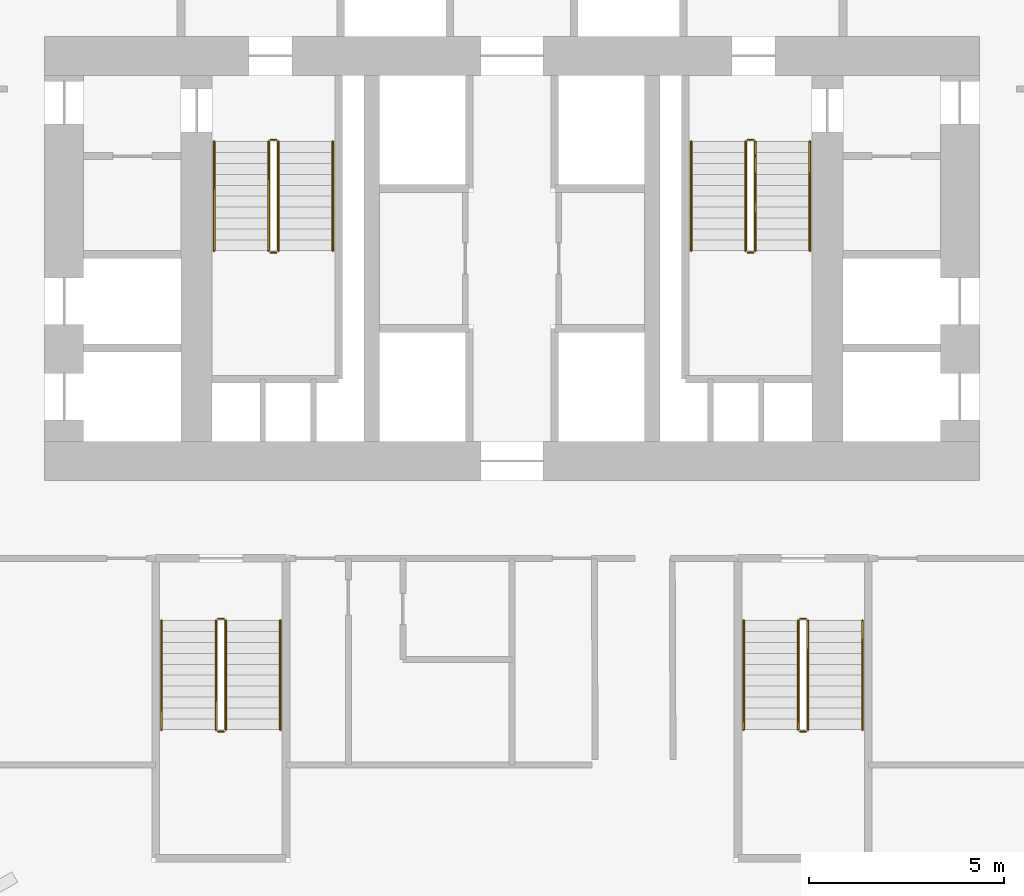
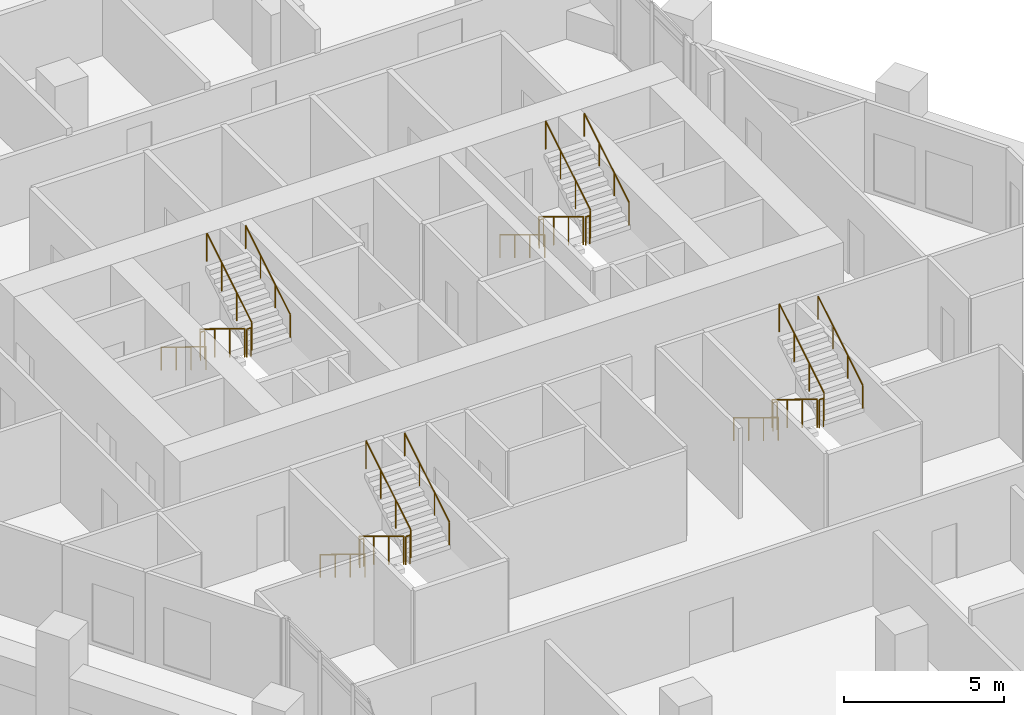
# One storey, part 28 of 28: 24 railings.
"""IFC4 building model written with IfcOpenShell, lengths in metres."""

from ifc_helpers import new_model, si_unit, direction, frame, origin, origin_2d, place, context, subcontext, project, spatial, circle, extrude, material, type_object, element, save


model = new_model("IFC4")

# Units and contexts
model_context = context("Model", 3, precision=1e-05, world=origin(), true_north=direction((0.0, 1.0)))
body_context = subcontext(model_context, "Body", "Model", "MODEL_VIEW")
ifc_project = project(units=[si_unit("LENGTHUNIT", "METRE"), si_unit("AREAUNIT", "SQUARE_METRE"), si_unit("VOLUMEUNIT", "CUBIC_METRE"), si_unit("PLANEANGLEUNIT", "RADIAN"), si_unit("MASSUNIT", "GRAM", prefix="KILO")], contexts=[model_context])

# Site, building, storey
site_placement = place(None, origin())
site = spatial("IfcSite", under=ifc_project, at=site_placement, CompositionType="ELEMENT")
building_placement = place(site_placement, origin())
building = spatial("IfcBuilding", under=site, at=building_placement, Name="Ostrander Bayou Hotel Tower", CompositionType="ELEMENT")
storey_placement = place(building_placement, frame((0.0, 0.0, 100.5)))
storey = spatial("IfcBuildingStorey", under=building, at=storey_placement, Name="L25", CompositionType="ELEMENT", Elevation=100.5)

# Railings
ifc_material_1 = material(Name="Steel ASTM A500 Gr C", Category="steel")
railing_type_1 = type_object("IfcRailingType", Name="GR1 stair guard 1100 mm steel", PredefinedType="GUARDRAIL", material=ifc_material_1)
railing_1_placement = place(storey_placement, frame((-6.25, 7.0, 0.17041015625)))
element("IfcRailing", 1, at=railing_1_placement, inside=storey, type_object=railing_type_1, Name="L25 STA stair guard 1", PredefinedType="GUARDRAIL", context=body_context, shape_type="SweptSolid", body=[
    extrude(circle(Radius=0.02392578125, at=origin_2d()), frame((0.0, 0.0, 1.076171875), z_axis=(0.0, -0.854169791009, 0.51999420009), x_axis=(1.0, 0.0, 0.0)), (0.0, 0.0, 1.0), 3.278076171875),
    extrude(circle(Radius=0.02099609375, at=origin_2d()), origin(), (0.0, 0.0, 1.0), 1.052001953125),
    extrude(circle(Radius=0.02099609375, at=origin_2d()), frame((0.0, -0.933349609375, 0.568115234375)), (0.0, 0.0, 1.0), 1.052001953125),
    extrude(circle(Radius=0.02099609375, at=origin_2d()), frame((0.0, -1.86669921875, 1.136474609375)), (0.0, 0.0, 1.0), 1.052001953125),
    extrude(circle(Radius=0.02099609375, at=origin_2d()), frame((0.0, -2.800048828125, 1.70458984375)), (0.0, 0.0, 1.0), 1.052001953125),
])
railing_2_placement = place(storey_placement, frame((-6.199951171875, 4.14990234375, 1.875)))
element("IfcRailing", 2, at=railing_2_placement, inside=storey, type_object=railing_type_1, Name="L25 STA stair guard 2", PredefinedType="GUARDRAIL", context=body_context, shape_type="SweptSolid", body=[
    extrude(circle(Radius=0.02392578125, at=origin_2d()), frame((0.0, 0.0, 1.076171875), z_axis=(1.0, 0.0, 0.0), x_axis=(0.0, 1.0, 0.0)), (0.0, 0.0, 1.0), 0.14990234375),
    extrude(circle(Radius=0.02099609375, at=origin_2d()), origin(), (0.0, 0.0, 1.0), 1.052001953125),
    extrude(circle(Radius=0.02099609375, at=origin_2d()), frame((0.14990234375, 0.0, 0.0)), (0.0, 0.0, 1.0), 1.052001953125),
])
railing_3_placement = place(storey_placement, frame((-6.0, 4.199951171875, 2.04541015625)))
element("IfcRailing", 3, at=railing_3_placement, inside=storey, type_object=railing_type_1, Name="L25 STA stair guard 3", PredefinedType="GUARDRAIL", context=body_context, shape_type="SweptSolid", body=[
    extrude(circle(Radius=0.02392578125, at=origin_2d()), frame((0.0, 0.0, 1.076171875), z_axis=(0.0, 0.854169791009, 0.51999420009), x_axis=(-1.0, 0.0, 0.0)), (0.0, 0.0, 1.0), 3.278076171875),
    extrude(circle(Radius=0.02099609375, at=origin_2d()), origin(), (0.0, 0.0, 1.0), 1.052001953125),
    extrude(circle(Radius=0.02099609375, at=origin_2d()), frame((0.0, 0.933349609375, 0.568115234375)), (0.0, 0.0, 1.0), 1.052001953125),
    extrude(circle(Radius=0.02099609375, at=origin_2d()), frame((0.0, 1.86669921875, 1.136474609375)), (0.0, 0.0, 1.0), 1.052001953125),
    extrude(circle(Radius=0.02099609375, at=origin_2d()), frame((0.0, 2.800048828125, 1.70458984375)), (0.0, 0.0, 1.0), 1.052001953125),
])
railing_4_placement = place(storey_placement, frame((-6.199951171875, 7.050048828125, 0.0)))
element("IfcRailing", 4, at=railing_4_placement, inside=storey, type_object=railing_type_1, Name="L25 STA stair guard 4", PredefinedType="GUARDRAIL", context=body_context, shape_type="SweptSolid", body=[
    extrude(circle(Radius=0.02392578125, at=origin_2d()), frame((0.0, 0.0, 1.076171875), z_axis=(1.0, 0.0, 0.0), x_axis=(0.0, 1.0, 0.0)), (0.0, 0.0, 1.0), 0.14990234375),
    extrude(circle(Radius=0.02099609375, at=origin_2d()), origin(), (0.0, 0.0, 1.0), 1.052001953125),
    extrude(circle(Radius=0.02099609375, at=origin_2d()), frame((0.14990234375, 0.0, 0.0)), (0.0, 0.0, 1.0), 1.052001953125),
])
railing_5_placement = place(storey_placement, frame((6.0, 7.0, 0.17041015625)))
element("IfcRailing", 5, at=railing_5_placement, inside=storey, type_object=railing_type_1, Name="L25 STB stair guard 1", PredefinedType="GUARDRAIL", context=body_context, shape_type="SweptSolid", body=[
    extrude(circle(Radius=0.02392578125, at=origin_2d()), frame((0.0, 0.0, 1.076171875), z_axis=(0.0, -0.854169791009, 0.51999420009), x_axis=(1.0, 0.0, 0.0)), (0.0, 0.0, 1.0), 3.278076171875),
    extrude(circle(Radius=0.02099609375, at=origin_2d()), origin(), (0.0, 0.0, 1.0), 1.052001953125),
    extrude(circle(Radius=0.02099609375, at=origin_2d()), frame((0.0, -0.933349609375, 0.568115234375)), (0.0, 0.0, 1.0), 1.052001953125),
    extrude(circle(Radius=0.02099609375, at=origin_2d()), frame((0.0, -1.86669921875, 1.136474609375)), (0.0, 0.0, 1.0), 1.052001953125),
    extrude(circle(Radius=0.02099609375, at=origin_2d()), frame((0.0, -2.800048828125, 1.70458984375)), (0.0, 0.0, 1.0), 1.052001953125),
])
railing_6_placement = place(storey_placement, frame((6.050048828125, 4.14990234375, 1.875)))
element("IfcRailing", 6, at=railing_6_placement, inside=storey, type_object=railing_type_1, Name="L25 STB stair guard 2", PredefinedType="GUARDRAIL", context=body_context, shape_type="SweptSolid", body=[
    extrude(circle(Radius=0.02392578125, at=origin_2d()), frame((0.0, 0.0, 1.076171875), z_axis=(1.0, 0.0, 0.0), x_axis=(0.0, 1.0, 0.0)), (0.0, 0.0, 1.0), 0.14990234375),
    extrude(circle(Radius=0.02099609375, at=origin_2d()), origin(), (0.0, 0.0, 1.0), 1.052001953125),
    extrude(circle(Radius=0.02099609375, at=origin_2d()), frame((0.14990234375, 0.0, 0.0)), (0.0, 0.0, 1.0), 1.052001953125),
])
railing_7_placement = place(storey_placement, frame((6.25, 4.199951171875, 2.04541015625)))
element("IfcRailing", 7, at=railing_7_placement, inside=storey, type_object=railing_type_1, Name="L25 STB stair guard 3", PredefinedType="GUARDRAIL", context=body_context, shape_type="SweptSolid", body=[
    extrude(circle(Radius=0.02392578125, at=origin_2d()), frame((0.0, 0.0, 1.076171875), z_axis=(0.0, 0.854169791009, 0.51999420009), x_axis=(-1.0, 0.0, 0.0)), (0.0, 0.0, 1.0), 3.278076171875),
    extrude(circle(Radius=0.02099609375, at=origin_2d()), origin(), (0.0, 0.0, 1.0), 1.052001953125),
    extrude(circle(Radius=0.02099609375, at=origin_2d()), frame((0.0, 0.933349609375, 0.568115234375)), (0.0, 0.0, 1.0), 1.052001953125),
    extrude(circle(Radius=0.02099609375, at=origin_2d()), frame((0.0, 1.86669921875, 1.136474609375)), (0.0, 0.0, 1.0), 1.052001953125),
    extrude(circle(Radius=0.02099609375, at=origin_2d()), frame((0.0, 2.800048828125, 1.70458984375)), (0.0, 0.0, 1.0), 1.052001953125),
])
railing_8_placement = place(storey_placement, frame((6.050048828125, 7.050048828125, 0.0)))
element("IfcRailing", 8, at=railing_8_placement, inside=storey, type_object=railing_type_1, Name="L25 STB stair guard 4", PredefinedType="GUARDRAIL", context=body_context, shape_type="SweptSolid", body=[
    extrude(circle(Radius=0.02392578125, at=origin_2d()), frame((0.0, 0.0, 1.076171875), z_axis=(1.0, 0.0, 0.0), x_axis=(0.0, 1.0, 0.0)), (0.0, 0.0, 1.0), 0.14990234375),
    extrude(circle(Radius=0.02099609375, at=origin_2d()), origin(), (0.0, 0.0, 1.0), 1.052001953125),
    extrude(circle(Radius=0.02099609375, at=origin_2d()), frame((0.14990234375, 0.0, 0.0)), (0.0, 0.0, 1.0), 1.052001953125),
])
railing_9_placement = place(storey_placement, frame((7.35009765625, -5.300048828125, 0.17041015625)))
element("IfcRailing", 9, at=railing_9_placement, inside=storey, type_object=railing_type_1, Name="L25 STC stair guard 1", PredefinedType="GUARDRAIL", context=body_context, shape_type="SweptSolid", body=[
    extrude(circle(Radius=0.02392578125, at=origin_2d()), frame((0.0, 0.0, 1.076171875), z_axis=(0.0, -0.854169791009, 0.51999420009), x_axis=(1.0, 0.0, 0.0)), (0.0, 0.0, 1.0), 3.278076171875),
    extrude(circle(Radius=0.02099609375, at=origin_2d()), origin(), (0.0, 0.0, 1.0), 1.052001953125),
    extrude(circle(Radius=0.02099609375, at=origin_2d()), frame((0.0, -0.933349609375, 0.568115234375)), (0.0, 0.0, 1.0), 1.052001953125),
    extrude(circle(Radius=0.02099609375, at=origin_2d()), frame((0.0, -1.86669921875, 1.136474609375)), (0.0, 0.0, 1.0), 1.052001953125),
    extrude(circle(Radius=0.02099609375, at=origin_2d()), frame((0.0, -2.800048828125, 1.70458984375)), (0.0, 0.0, 1.0), 1.052001953125),
])
railing_10_placement = place(storey_placement, frame((7.39990234375, -8.14990234375, 1.875)))
element("IfcRailing", 10, at=railing_10_placement, inside=storey, type_object=railing_type_1, Name="L25 STC stair guard 2", PredefinedType="GUARDRAIL", context=body_context, shape_type="SweptSolid", body=[
    extrude(circle(Radius=0.02392578125, at=origin_2d()), frame((0.0, 0.0, 1.076171875), z_axis=(1.0, 0.0, 0.0), x_axis=(0.0, 1.0, 0.0)), (0.0, 0.0, 1.0), 0.150146484375),
    extrude(circle(Radius=0.02099609375, at=origin_2d()), origin(), (0.0, 0.0, 1.0), 1.052001953125),
    extrude(circle(Radius=0.02099609375, at=origin_2d()), frame((0.150146484375, 0.0, 0.0)), (0.0, 0.0, 1.0), 1.052001953125),
])
railing_11_placement = place(storey_placement, frame((7.60009765625, -8.10009765625, 2.04541015625)))
element("IfcRailing", 11, at=railing_11_placement, inside=storey, type_object=railing_type_1, Name="L25 STC stair guard 3", PredefinedType="GUARDRAIL", context=body_context, shape_type="SweptSolid", body=[
    extrude(circle(Radius=0.02392578125, at=origin_2d()), frame((0.0, 0.0, 1.076171875), z_axis=(0.0, 0.854169791009, 0.51999420009), x_axis=(-1.0, 0.0, 0.0)), (0.0, 0.0, 1.0), 3.278076171875),
    extrude(circle(Radius=0.02099609375, at=origin_2d()), origin(), (0.0, 0.0, 1.0), 1.052001953125),
    extrude(circle(Radius=0.02099609375, at=origin_2d()), frame((0.0, 0.933349609375, 0.568115234375)), (0.0, 0.0, 1.0), 1.052001953125),
    extrude(circle(Radius=0.02099609375, at=origin_2d()), frame((0.0, 1.86669921875, 1.136474609375)), (0.0, 0.0, 1.0), 1.052001953125),
    extrude(circle(Radius=0.02099609375, at=origin_2d()), frame((0.0, 2.800048828125, 1.70458984375)), (0.0, 0.0, 1.0), 1.052001953125),
])
railing_12_placement = place(storey_placement, frame((7.39990234375, -5.25, 0.0)))
element("IfcRailing", 12, at=railing_12_placement, inside=storey, type_object=railing_type_1, Name="L25 STC stair guard 4", PredefinedType="GUARDRAIL", context=body_context, shape_type="SweptSolid", body=[
    extrude(circle(Radius=0.02392578125, at=origin_2d()), frame((0.0, 0.0, 1.076171875), z_axis=(1.0, 0.0, 0.0), x_axis=(0.0, 1.0, 0.0)), (0.0, 0.0, 1.0), 0.150146484375),
    extrude(circle(Radius=0.02099609375, at=origin_2d()), origin(), (0.0, 0.0, 1.0), 1.052001953125),
    extrude(circle(Radius=0.02099609375, at=origin_2d()), frame((0.150146484375, 0.0, 0.0)), (0.0, 0.0, 1.0), 1.052001953125),
])
railing_13_placement = place(storey_placement, frame((-7.60009765625, -5.300048828125, 0.17041015625)))
element("IfcRailing", 13, at=railing_13_placement, inside=storey, type_object=railing_type_1, Name="L25 STD stair guard 1", PredefinedType="GUARDRAIL", context=body_context, shape_type="SweptSolid", body=[
    extrude(circle(Radius=0.02392578125, at=origin_2d()), frame((0.0, 0.0, 1.076171875), z_axis=(0.0, -0.854169791009, 0.51999420009), x_axis=(1.0, 0.0, 0.0)), (0.0, 0.0, 1.0), 3.278076171875),
    extrude(circle(Radius=0.02099609375, at=origin_2d()), origin(), (0.0, 0.0, 1.0), 1.052001953125),
    extrude(circle(Radius=0.02099609375, at=origin_2d()), frame((0.0, -0.933349609375, 0.568115234375)), (0.0, 0.0, 1.0), 1.052001953125),
    extrude(circle(Radius=0.02099609375, at=origin_2d()), frame((0.0, -1.86669921875, 1.136474609375)), (0.0, 0.0, 1.0), 1.052001953125),
    extrude(circle(Radius=0.02099609375, at=origin_2d()), frame((0.0, -2.800048828125, 1.70458984375)), (0.0, 0.0, 1.0), 1.052001953125),
])
railing_14_placement = place(storey_placement, frame((-7.550048828125, -8.14990234375, 1.875)))
element("IfcRailing", 14, at=railing_14_placement, inside=storey, type_object=railing_type_1, Name="L25 STD stair guard 2", PredefinedType="GUARDRAIL", context=body_context, shape_type="SweptSolid", body=[
    extrude(circle(Radius=0.02392578125, at=origin_2d()), frame((0.0, 0.0, 1.076171875), z_axis=(1.0, 0.0, 0.0), x_axis=(0.0, 1.0, 0.0)), (0.0, 0.0, 1.0), 0.150146484375),
    extrude(circle(Radius=0.02099609375, at=origin_2d()), origin(), (0.0, 0.0, 1.0), 1.052001953125),
    extrude(circle(Radius=0.02099609375, at=origin_2d()), frame((0.150146484375, 0.0, 0.0)), (0.0, 0.0, 1.0), 1.052001953125),
])
railing_15_placement = place(storey_placement, frame((-7.35009765625, -8.10009765625, 2.04541015625)))
element("IfcRailing", 15, at=railing_15_placement, inside=storey, type_object=railing_type_1, Name="L25 STD stair guard 3", PredefinedType="GUARDRAIL", context=body_context, shape_type="SweptSolid", body=[
    extrude(circle(Radius=0.02392578125, at=origin_2d()), frame((0.0, 0.0, 1.076171875), z_axis=(0.0, 0.854169791009, 0.51999420009), x_axis=(-1.0, 0.0, 0.0)), (0.0, 0.0, 1.0), 3.278076171875),
    extrude(circle(Radius=0.02099609375, at=origin_2d()), origin(), (0.0, 0.0, 1.0), 1.052001953125),
    extrude(circle(Radius=0.02099609375, at=origin_2d()), frame((0.0, 0.933349609375, 0.568115234375)), (0.0, 0.0, 1.0), 1.052001953125),
    extrude(circle(Radius=0.02099609375, at=origin_2d()), frame((0.0, 1.86669921875, 1.136474609375)), (0.0, 0.0, 1.0), 1.052001953125),
    extrude(circle(Radius=0.02099609375, at=origin_2d()), frame((0.0, 2.800048828125, 1.70458984375)), (0.0, 0.0, 1.0), 1.052001953125),
])
railing_16_placement = place(storey_placement, frame((-7.550048828125, -5.25, 0.0)))
element("IfcRailing", 16, at=railing_16_placement, inside=storey, type_object=railing_type_1, Name="L25 STD stair guard 4", PredefinedType="GUARDRAIL", context=body_context, shape_type="SweptSolid", body=[
    extrude(circle(Radius=0.02392578125, at=origin_2d()), frame((0.0, 0.0, 1.076171875), z_axis=(1.0, 0.0, 0.0), x_axis=(0.0, 1.0, 0.0)), (0.0, 0.0, 1.0), 0.150146484375),
    extrude(circle(Radius=0.02099609375, at=origin_2d()), origin(), (0.0, 0.0, 1.0), 1.052001953125),
    extrude(circle(Radius=0.02099609375, at=origin_2d()), frame((0.150146484375, 0.0, 0.0)), (0.0, 0.0, 1.0), 1.052001953125),
])
ifc_material_2 = material(Name="Steel ASTM A500 Gr C", Category="steel")
railing_type_2 = type_object("IfcRailingType", Name="HR1 stair handrail 900 mm steel", PredefinedType="HANDRAIL", material=ifc_material_2)
railing_17_placement = place(storey_placement, frame((-7.64990234375, 7.0, 0.17041015625)))
element("IfcRailing", 17, at=railing_17_placement, inside=storey, type_object=railing_type_2, Name="L25 STA stair handrail 1", PredefinedType="HANDRAIL", context=body_context, shape_type="SweptSolid", body=[
    extrude(circle(Radius=0.02392578125, at=origin_2d()), frame((0.0, 0.0, 0.8759765625), z_axis=(0.0, -0.854169791009, 0.51999420009), x_axis=(1.0, 0.0, 0.0)), (0.0, 0.0, 1.0), 3.278076171875),
    extrude(circle(Radius=0.02099609375, at=origin_2d()), origin(), (0.0, 0.0, 1.0), 0.851806640625),
    extrude(circle(Radius=0.02099609375, at=origin_2d()), frame((0.0, -0.933349609375, 0.568115234375)), (0.0, 0.0, 1.0), 0.851806640625),
    extrude(circle(Radius=0.02099609375, at=origin_2d()), frame((0.0, -1.86669921875, 1.136474609375)), (0.0, 0.0, 1.0), 0.851806640625),
    extrude(circle(Radius=0.02099609375, at=origin_2d()), frame((0.0, -2.800048828125, 1.70458984375)), (0.0, 0.0, 1.0), 0.851806640625),
])
railing_18_placement = place(storey_placement, frame((-4.60009765625, 4.199951171875, 2.04541015625)))
element("IfcRailing", 18, at=railing_18_placement, inside=storey, type_object=railing_type_2, Name="L25 STA stair handrail 2", PredefinedType="HANDRAIL", context=body_context, shape_type="SweptSolid", body=[
    extrude(circle(Radius=0.02392578125, at=origin_2d()), frame((0.0, 0.0, 0.8759765625), z_axis=(0.0, 0.854169791009, 0.51999420009), x_axis=(-1.0, 0.0, 0.0)), (0.0, 0.0, 1.0), 3.278076171875),
    extrude(circle(Radius=0.02099609375, at=origin_2d()), origin(), (0.0, 0.0, 1.0), 0.851806640625),
    extrude(circle(Radius=0.02099609375, at=origin_2d()), frame((0.0, 0.933349609375, 0.568115234375)), (0.0, 0.0, 1.0), 0.851806640625),
    extrude(circle(Radius=0.02099609375, at=origin_2d()), frame((0.0, 1.86669921875, 1.136474609375)), (0.0, 0.0, 1.0), 0.851806640625),
    extrude(circle(Radius=0.02099609375, at=origin_2d()), frame((0.0, 2.800048828125, 1.70458984375)), (0.0, 0.0, 1.0), 0.851806640625),
])
railing_19_placement = place(storey_placement, frame((4.60009765625, 7.0, 0.17041015625)))
element("IfcRailing", 19, at=railing_19_placement, inside=storey, type_object=railing_type_2, Name="L25 STB stair handrail 1", PredefinedType="HANDRAIL", context=body_context, shape_type="SweptSolid", body=[
    extrude(circle(Radius=0.02392578125, at=origin_2d()), frame((0.0, 0.0, 0.8759765625), z_axis=(0.0, -0.854169791009, 0.51999420009), x_axis=(1.0, 0.0, 0.0)), (0.0, 0.0, 1.0), 3.278076171875),
    extrude(circle(Radius=0.02099609375, at=origin_2d()), origin(), (0.0, 0.0, 1.0), 0.851806640625),
    extrude(circle(Radius=0.02099609375, at=origin_2d()), frame((0.0, -0.933349609375, 0.568115234375)), (0.0, 0.0, 1.0), 0.851806640625),
    extrude(circle(Radius=0.02099609375, at=origin_2d()), frame((0.0, -1.86669921875, 1.136474609375)), (0.0, 0.0, 1.0), 0.851806640625),
    extrude(circle(Radius=0.02099609375, at=origin_2d()), frame((0.0, -2.800048828125, 1.70458984375)), (0.0, 0.0, 1.0), 0.851806640625),
])
railing_20_placement = place(storey_placement, frame((7.64990234375, 4.199951171875, 2.04541015625)))
element("IfcRailing", 20, at=railing_20_placement, inside=storey, type_object=railing_type_2, Name="L25 STB stair handrail 2", PredefinedType="HANDRAIL", context=body_context, shape_type="SweptSolid", body=[
    extrude(circle(Radius=0.02392578125, at=origin_2d()), frame((0.0, 0.0, 0.8759765625), z_axis=(0.0, 0.854169791009, 0.51999420009), x_axis=(-1.0, 0.0, 0.0)), (0.0, 0.0, 1.0), 3.278076171875),
    extrude(circle(Radius=0.02099609375, at=origin_2d()), origin(), (0.0, 0.0, 1.0), 0.851806640625),
    extrude(circle(Radius=0.02099609375, at=origin_2d()), frame((0.0, 0.933349609375, 0.568115234375)), (0.0, 0.0, 1.0), 0.851806640625),
    extrude(circle(Radius=0.02099609375, at=origin_2d()), frame((0.0, 1.86669921875, 1.136474609375)), (0.0, 0.0, 1.0), 0.851806640625),
    extrude(circle(Radius=0.02099609375, at=origin_2d()), frame((0.0, 2.800048828125, 1.70458984375)), (0.0, 0.0, 1.0), 0.851806640625),
])
railing_21_placement = place(storey_placement, frame((5.949951171875, -5.300048828125, 0.17041015625)))
element("IfcRailing", 21, at=railing_21_placement, inside=storey, type_object=railing_type_2, Name="L25 STC stair handrail 1", PredefinedType="HANDRAIL", context=body_context, shape_type="SweptSolid", body=[
    extrude(circle(Radius=0.02392578125, at=origin_2d()), frame((0.0, 0.0, 0.8759765625), z_axis=(0.0, -0.854169791009, 0.51999420009), x_axis=(1.0, 0.0, 0.0)), (0.0, 0.0, 1.0), 3.278076171875),
    extrude(circle(Radius=0.02099609375, at=origin_2d()), origin(), (0.0, 0.0, 1.0), 0.851806640625),
    extrude(circle(Radius=0.02099609375, at=origin_2d()), frame((0.0, -0.933349609375, 0.568115234375)), (0.0, 0.0, 1.0), 0.851806640625),
    extrude(circle(Radius=0.02099609375, at=origin_2d()), frame((0.0, -1.86669921875, 1.136474609375)), (0.0, 0.0, 1.0), 0.851806640625),
    extrude(circle(Radius=0.02099609375, at=origin_2d()), frame((0.0, -2.800048828125, 1.70458984375)), (0.0, 0.0, 1.0), 0.851806640625),
])
railing_22_placement = place(storey_placement, frame((9.0, -8.10009765625, 2.04541015625)))
element("IfcRailing", 22, at=railing_22_placement, inside=storey, type_object=railing_type_2, Name="L25 STC stair handrail 2", PredefinedType="HANDRAIL", context=body_context, shape_type="SweptSolid", body=[
    extrude(circle(Radius=0.02392578125, at=origin_2d()), frame((0.0, 0.0, 0.8759765625), z_axis=(0.0, 0.854169791009, 0.51999420009), x_axis=(-1.0, 0.0, 0.0)), (0.0, 0.0, 1.0), 3.278076171875),
    extrude(circle(Radius=0.02099609375, at=origin_2d()), origin(), (0.0, 0.0, 1.0), 0.851806640625),
    extrude(circle(Radius=0.02099609375, at=origin_2d()), frame((0.0, 0.933349609375, 0.568115234375)), (0.0, 0.0, 1.0), 0.851806640625),
    extrude(circle(Radius=0.02099609375, at=origin_2d()), frame((0.0, 1.86669921875, 1.136474609375)), (0.0, 0.0, 1.0), 0.851806640625),
    extrude(circle(Radius=0.02099609375, at=origin_2d()), frame((0.0, 2.800048828125, 1.70458984375)), (0.0, 0.0, 1.0), 0.851806640625),
])
railing_23_placement = place(storey_placement, frame((-9.0, -5.300048828125, 0.17041015625)))
element("IfcRailing", 23, at=railing_23_placement, inside=storey, type_object=railing_type_2, Name="L25 STD stair handrail 1", PredefinedType="HANDRAIL", context=body_context, shape_type="SweptSolid", body=[
    extrude(circle(Radius=0.02392578125, at=origin_2d()), frame((0.0, 0.0, 0.8759765625), z_axis=(0.0, -0.854169791009, 0.51999420009), x_axis=(1.0, 0.0, 0.0)), (0.0, 0.0, 1.0), 3.278076171875),
    extrude(circle(Radius=0.02099609375, at=origin_2d()), origin(), (0.0, 0.0, 1.0), 0.851806640625),
    extrude(circle(Radius=0.02099609375, at=origin_2d()), frame((0.0, -0.933349609375, 0.568115234375)), (0.0, 0.0, 1.0), 0.851806640625),
    extrude(circle(Radius=0.02099609375, at=origin_2d()), frame((0.0, -1.86669921875, 1.136474609375)), (0.0, 0.0, 1.0), 0.851806640625),
    extrude(circle(Radius=0.02099609375, at=origin_2d()), frame((0.0, -2.800048828125, 1.70458984375)), (0.0, 0.0, 1.0), 0.851806640625),
])
railing_24_placement = place(storey_placement, frame((-5.949951171875, -8.10009765625, 2.04541015625)))
element("IfcRailing", 24, at=railing_24_placement, inside=storey, type_object=railing_type_2, Name="L25 STD stair handrail 2", PredefinedType="HANDRAIL", context=body_context, shape_type="SweptSolid", body=[
    extrude(circle(Radius=0.02392578125, at=origin_2d()), frame((0.0, 0.0, 0.8759765625), z_axis=(0.0, 0.854169791009, 0.51999420009), x_axis=(-1.0, 0.0, 0.0)), (0.0, 0.0, 1.0), 3.278076171875),
    extrude(circle(Radius=0.02099609375, at=origin_2d()), origin(), (0.0, 0.0, 1.0), 0.851806640625),
    extrude(circle(Radius=0.02099609375, at=origin_2d()), frame((0.0, 0.933349609375, 0.568115234375)), (0.0, 0.0, 1.0), 0.851806640625),
    extrude(circle(Radius=0.02099609375, at=origin_2d()), frame((0.0, 1.86669921875, 1.136474609375)), (0.0, 0.0, 1.0), 0.851806640625),
    extrude(circle(Radius=0.02099609375, at=origin_2d()), frame((0.0, 2.800048828125, 1.70458984375)), (0.0, 0.0, 1.0), 0.851806640625),
])

save(model, "model.ifc")
